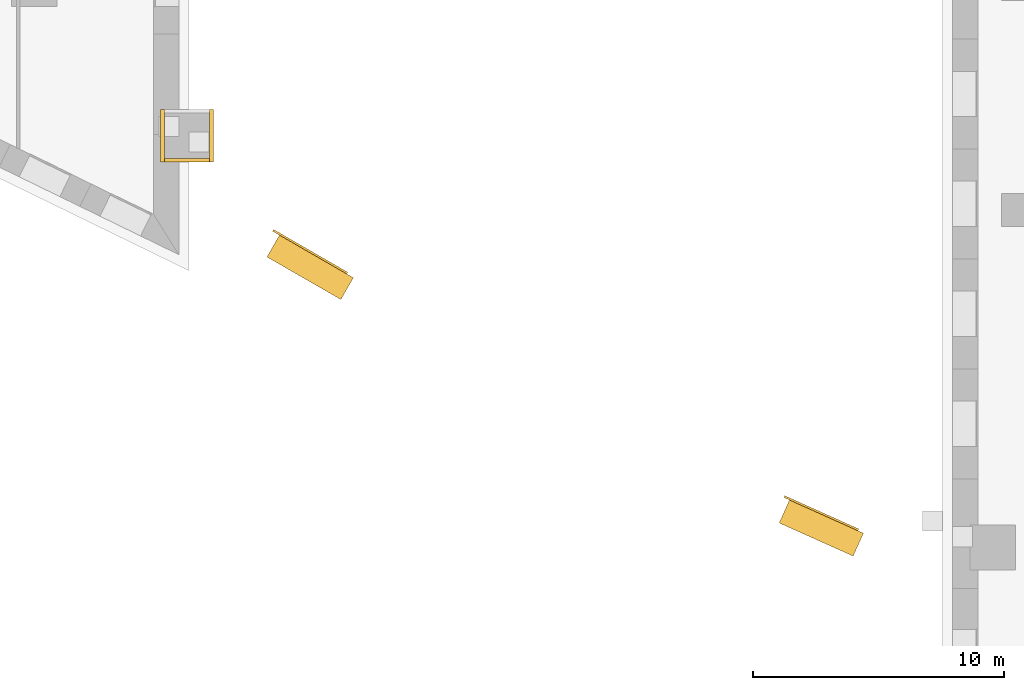
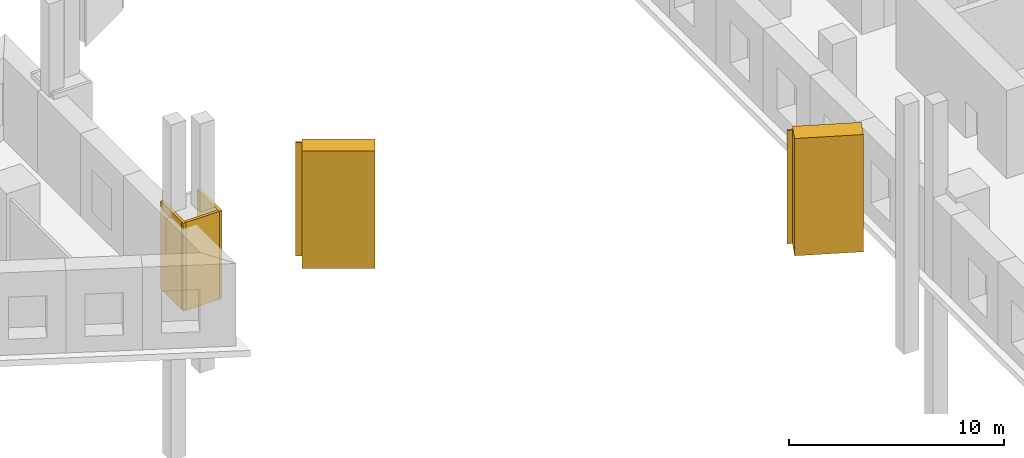
# One storey, part 7 of 11: 7 coverings.
"""IFC4 building model written with IfcOpenShell, lengths in metres."""

from ifc_helpers import new_model, si_unit, direction, frame, frame_2d, origin, place, context, subcontext, project, spatial, rectangle, extrude, material, layer, layer_set, type_object, element, save


model = new_model("IFC4")

# Units and contexts
model_context = context("Model", 3, precision=1e-05, world=origin(), true_north=direction((0.0, 1.0)))
body_context = subcontext(model_context, "Body", "Model", "MODEL_VIEW")
ifc_project = project(units=[si_unit("LENGTHUNIT", "METRE"), si_unit("AREAUNIT", "SQUARE_METRE"), si_unit("VOLUMEUNIT", "CUBIC_METRE"), si_unit("PLANEANGLEUNIT", "RADIAN"), si_unit("MASSUNIT", "GRAM", prefix="KILO")], contexts=[model_context])

# Site, building, storey
site_placement = place(None, origin())
site = spatial("IfcSite", under=ifc_project, at=site_placement, CompositionType="ELEMENT")
building_placement = place(site_placement, origin())
building = spatial("IfcBuilding", under=site, at=building_placement, Name="Ostrand Prow Hotel Tower", CompositionType="ELEMENT")
storey_placement = place(building_placement, frame((0.0, 0.0, 19.0)))
storey = spatial("IfcBuildingStorey", under=building, at=storey_placement, Name="L03", CompositionType="ELEMENT", Elevation=19.0)

# Coverings
ifc_material_1 = material(Name="Dark bronze anodised aluminium lining", Category="aluminium")
ifc_layer_1 = layer(ifc_material_1, 0.080078125)
ifc_layer_set_1 = layer_set([ifc_layer_1], Name="Dark bronze anodised aluminium lining")
covering_type_1 = type_object("IfcCoveringType", Name="Arch spandrel limestone cladding 80 mm", PredefinedType="CLADDING", material=ifc_layer_set_1)
covering_1_placement = place(storey_placement, frame((15.357177734375, -9.807861328125, 3.244140625), z_axis=(0.0, 0.0, 1.0), x_axis=(0.866286070807, -0.499548239438, 0.0)))
element("IfcCovering", 1, at=covering_1_placement, inside=storey, type_object=covering_type_1, Name="Arch spandrel cladding S 5", PredefinedType="CLADDING", context=body_context, shape_type="SweptSolid", body=[
    extrude(rectangle(XDim=3.397216796875, YDim=0.080078125, at=frame_2d((1.69873046875, 0.0))), origin(), (0.0, 0.0, 1.0), 6.455810546875),
])
covering_2_placement = place(storey_placement, frame((35.699951171875, -20.402099609375, 3.244140625), z_axis=(0.0, 0.0, 1.0), x_axis=(0.911986613416, -0.410219961668, 0.0)))
element("IfcCovering", 2, at=covering_2_placement, inside=storey, type_object=covering_type_1, Name="Arch spandrel cladding S 11", PredefinedType="CLADDING", context=body_context, shape_type="SweptSolid", body=[
    extrude(rectangle(XDim=3.226806640625, YDim=0.080078125, at=frame_2d((1.61328125, 0.0))), origin(), (0.0, 0.0, 1.0), 6.455810546875),
])
ifc_material_2 = material(Name="Limestone cladding", Category="masonry")
ifc_layer_2 = layer(ifc_material_2, 0.14990234375)
ifc_layer_set_2 = layer_set([ifc_layer_2], Name="Limestone cladding")
covering_type_2 = type_object("IfcCoveringType", Name="Column stone sleeve 150 mm", PredefinedType="CLADDING", material=ifc_layer_set_2)
covering_3_placement = place(storey_placement, frame((10.87646484375, -7.01708984375, 0.0), z_axis=(0.0, 0.0, 1.0), x_axis=(1.0, 0.0, 0.0)))
element("IfcCovering", 3, at=covering_3_placement, inside=storey, type_object=covering_type_2, Name="Column stone sleeve MC-S1 1", PredefinedType="CLADDING", context=body_context, shape_type="SweptSolid", body=[
    extrude(rectangle(XDim=2.099853515625, YDim=0.14990234375, at=frame_2d((1.0498046875, 0.0))), origin(), (0.0, 0.0, 1.0), 5.0),
])
for number, where, z_axis, x_axis, name in (
    (4, (12.9013671875, -7.092041015625, 0.0), (0.0, 0.0, 1.0), (0.0, 1.0, 0.0), "Column stone sleeve MC-S1 2"),
    (5, (10.951416015625, -4.991943359375, 0.0), (0.0, 0.0, 1.0), (0.0, -1.0, 0.0), "Column stone sleeve MC-S1 4"),
):
    element("IfcCovering", number, at=place(storey_placement, frame(where, z_axis=z_axis, x_axis=x_axis)), inside=storey, type_object=covering_type_2, Name=name, PredefinedType="CLADDING", context=body_context, shape_type="SweptSolid", body=[
        extrude(rectangle(XDim=2.10009765625, YDim=0.14990234375, at=frame_2d((1.050048828125, 0.0))), origin(), (0.0, 0.0, 1.0), 5.0),
    ])
ifc_material_3 = material(Name="Limestone cladding", Category="masonry")
ifc_layer_3 = layer(ifc_material_3, 1.0)
ifc_layer_set_3 = layer_set([ifc_layer_3], Name="Limestone cladding")
covering_type_3 = type_object("IfcCoveringType", Name="Portal frame limestone 1000 mm", PredefinedType="CLADDING", material=ifc_layer_set_3)
covering_4_placement = place(storey_placement, frame((15.357177734375, -10.43359375, 3.244140625), z_axis=(0.0, 0.0, 1.0), x_axis=(0.866938934334, -0.498414369913, 0.0)))
element("IfcCovering", 6, at=covering_4_placement, inside=storey, type_object=covering_type_3, Name="Portal frame S 5", PredefinedType="CLADDING", context=body_context, shape_type="SweptSolid", body=[
    extrude(rectangle(XDim=3.39453125, YDim=1.0, at=frame_2d((1.697265625, 0.0))), origin(), (0.0, 0.0, 1.0), 6.6748046875),
])
covering_5_placement = place(storey_placement, frame((35.699951171875, -20.99609375, 3.244140625), z_axis=(0.0, 0.0, 1.0), x_axis=(0.912439161173, -0.40921238637, 0.0)))
element("IfcCovering", 7, at=covering_5_placement, inside=storey, type_object=covering_type_3, Name="Portal frame S 11", PredefinedType="CLADDING", context=body_context, shape_type="SweptSolid", body=[
    extrude(rectangle(XDim=3.225341796875, YDim=1.0, at=frame_2d((1.61279296875, 0.0))), origin(), (0.0, 0.0, 1.0), 6.6748046875),
])

save(model, "model.ifc")
